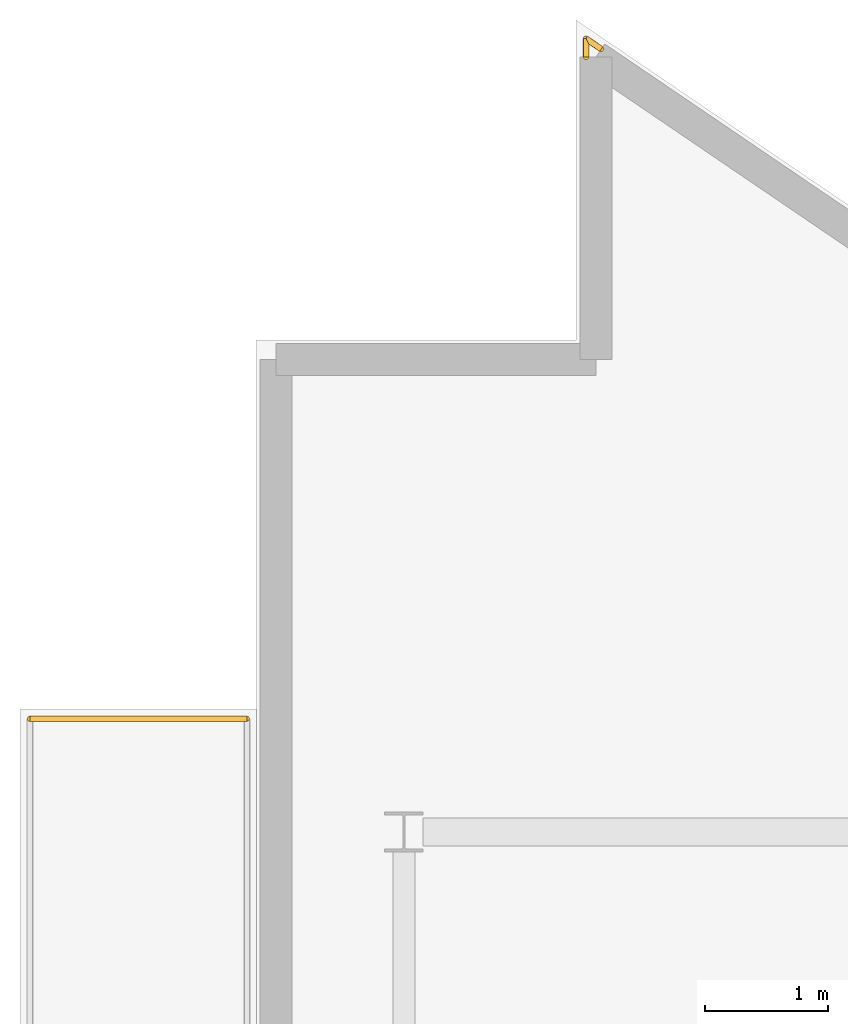
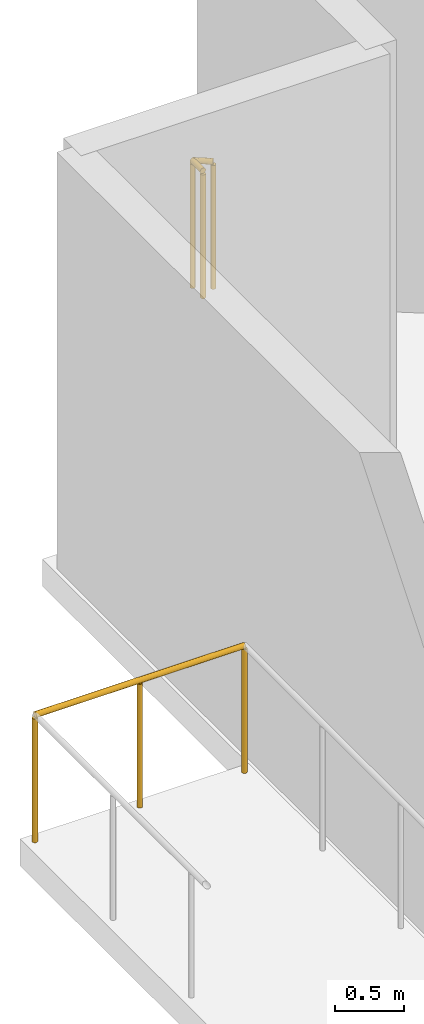
# One storey, part 21 of 22: 3 railings.
"""IFC4 building model written with IfcOpenShell, lengths in metres."""

from ifc_helpers import new_model, si_unit, direction, frame, origin, origin_2d, place, context, subcontext, project, spatial, circle, extrude, material, type_object, element, save


model = new_model("IFC4")

# Units and contexts
model_context = context("Model", 3, precision=1e-05, world=origin(), true_north=direction((0.0, 1.0)))
body_context = subcontext(model_context, "Body", "Model", "MODEL_VIEW")
ifc_project = project(units=[si_unit("LENGTHUNIT", "METRE"), si_unit("AREAUNIT", "SQUARE_METRE"), si_unit("VOLUMEUNIT", "CUBIC_METRE"), si_unit("PLANEANGLEUNIT", "RADIAN"), si_unit("MASSUNIT", "GRAM", prefix="KILO")], contexts=[model_context])

# Site, building, storey
site_placement = place(None, origin())
site = spatial("IfcSite", under=ifc_project, at=site_placement, CompositionType="ELEMENT")
building_placement = place(site_placement, origin())
building = spatial("IfcBuilding", under=site, at=building_placement, Name="Varnakote Quay Hospital", CompositionType="ELEMENT")
storey_placement = place(building_placement, frame((0.0, 0.0, 62.0)))
storey = spatial("IfcBuildingStorey", under=building, at=storey_placement, Name="L15", CompositionType="ELEMENT", Elevation=62.0)

# Railings
ifc_material = material(Name="Anodised aluminium 6063-T6 Bronze", Category="aluminium")
railing_type = type_object("IfcRailingType", Name="RLG-EXT-GUARD-1150", PredefinedType="GUARDRAIL", material=ifc_material)
railing_1_placement = place(storey_placement, frame((-1.840087890625, 38.1201171875, 0.0)))
element("IfcRailing", 1, at=railing_1_placement, inside=storey, type_object=railing_type, Name="L15 Zigzag Prow Healing Terrace Safety Guard", PredefinedType="GUARDRAIL", context=body_context, shape_type="SweptSolid", body=[
    extrude(circle(Radius=0.02392578125, at=origin_2d()), frame((0.0, 0.0, 1.1259765625), z_axis=(1.0, 0.0, 0.0), x_axis=(0.0, 1.0, 0.0)), (0.0, 0.0, 1.0), 1.76416015625),
    extrude(circle(Radius=0.02099609375, at=origin_2d()), origin(), (0.0, 0.0, 1.0), 1.101806640625),
    extrude(circle(Radius=0.02099609375, at=origin_2d()), frame((0.882080078125, 0.0, 0.0)), (0.0, 0.0, 1.0), 1.101806640625),
    extrude(circle(Radius=0.02099609375, at=origin_2d()), frame((1.76416015625, 0.0, 0.0)), (0.0, 0.0, 1.0), 1.101806640625),
])
railing_2_placement = place(storey_placement, frame((2.679931640625, 43.497802734375, 0.0)))
element("IfcRailing", 2, at=railing_2_placement, inside=storey, type_object=railing_type, Name="L15 Slab Edge Perimeter Safety Guard", PredefinedType="GUARDRAIL", context=body_context, shape_type="SweptSolid", body=[
    extrude(circle(Radius=0.02392578125, at=origin_2d()), frame((0.0, 0.0, 1.1259765625), z_axis=(0.0, 1.0, 0.0), x_axis=(-1.0, 0.0, 0.0)), (0.0, 0.0, 1.0), 0.151123046875),
    extrude(circle(Radius=0.02099609375, at=origin_2d()), origin(), (0.0, 0.0, 1.0), 1.101806640625),
    extrude(circle(Radius=0.02099609375, at=origin_2d()), frame((0.0, 0.151123046875, 0.0)), (0.0, 0.0, 1.0), 1.101806640625),
])
railing_3_placement = place(storey_placement, frame((2.679931640625, 43.64892578125, 0.0)))
element("IfcRailing", 3, at=railing_3_placement, inside=storey, type_object=railing_type, Name="L15 Slab Edge Perimeter Safety Guard", PredefinedType="GUARDRAIL", context=body_context, shape_type="SweptSolid", body=[
    extrude(circle(Radius=0.02392578125, at=origin_2d()), frame((0.0, 0.0, 1.1259765625), z_axis=(0.827046660574, -0.562133277109, 0.0), x_axis=(0.562133277109, 0.827046660574, 0.0)), (0.0, 0.0, 1.0), 0.151123046875),
    extrude(circle(Radius=0.02099609375, at=origin_2d()), origin(), (0.0, 0.0, 1.0), 1.101806640625),
    extrude(circle(Radius=0.02099609375, at=origin_2d()), frame((0.125, -0.0849609375, 0.0)), (0.0, 0.0, 1.0), 1.101806640625),
])

save(model, "model.ifc")
